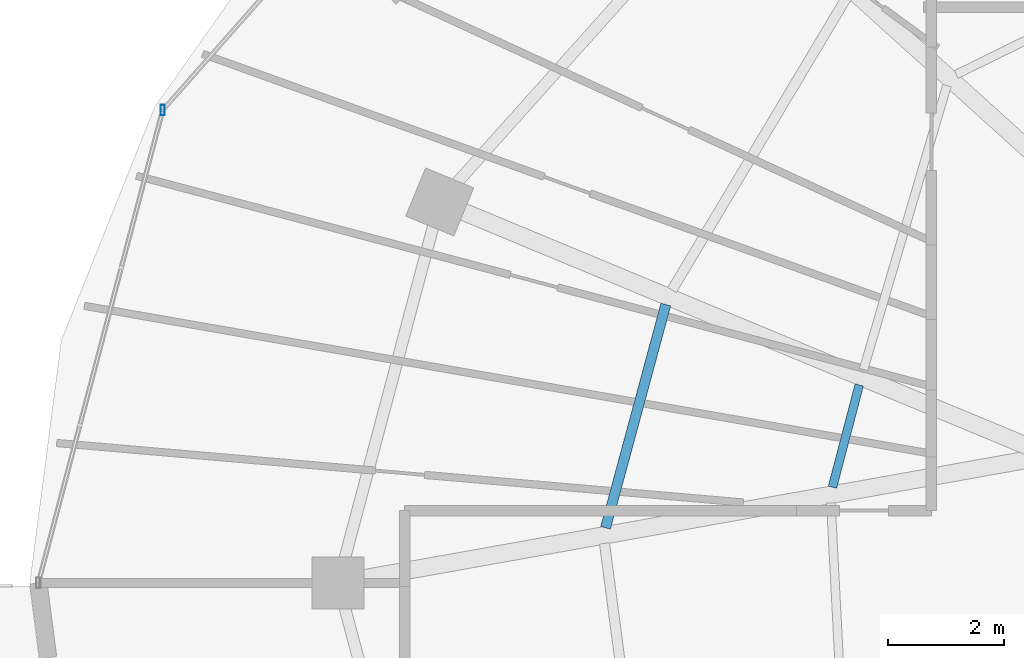
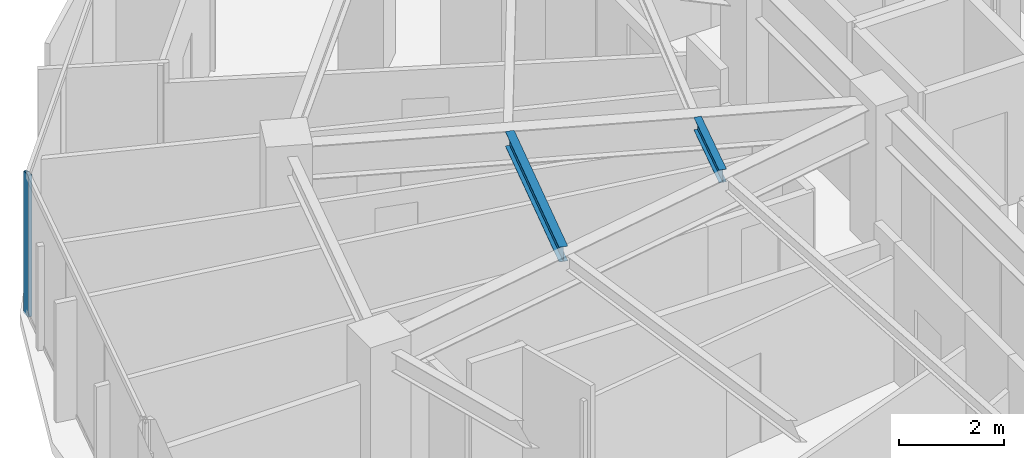
# One storey, part 9 of 34: 2 beams, 1 member, 1 element without a shape of its own.
"""IFC4 building model written with IfcOpenShell, lengths in metres."""

from ifc_helpers import new_model, si_unit, direction, frame, origin, origin_2d, place, context, subcontext, project, spatial, hollow_rectangle, i_section, extrude, material, material_profile, profile_set, type_object, element, aggregate, save


model = new_model("IFC4")

# Units and contexts
model_context = context("Model", 3, precision=1e-05, world=origin(), true_north=direction((0.0, 1.0)))
body_context = subcontext(model_context, "Body", "Model", "MODEL_VIEW")
ifc_project = project(units=[si_unit("LENGTHUNIT", "METRE"), si_unit("AREAUNIT", "SQUARE_METRE"), si_unit("VOLUMEUNIT", "CUBIC_METRE"), si_unit("PLANEANGLEUNIT", "RADIAN"), si_unit("MASSUNIT", "GRAM", prefix="KILO")], contexts=[model_context])

# Site, building, storey
site_placement = place(None, origin())
site = spatial("IfcSite", under=ifc_project, at=site_placement, CompositionType="ELEMENT")
building_placement = place(site_placement, origin())
building = spatial("IfcBuilding", under=site, at=building_placement, Name="Vorneva Point Tower", CompositionType="ELEMENT")
storey_placement = place(building_placement, frame((0.0, 0.0, 182.60009765625)))
storey = spatial("IfcBuildingStorey", under=building, at=storey_placement, Name="L49", CompositionType="ELEMENT", Elevation=182.60009765625)

# Beams
ifc_material_1 = material(Name="Steel S355", Category="steel")
ifc_material_profile_1 = material_profile(ifc_material_1, i_section(OverallWidth=0.14892578125, OverallDepth=0.298095703125, WebThickness=0.005615234375, FlangeThickness=0.008056640625, at=origin_2d()), Name="30B1")
ifc_profile_set_1 = profile_set([ifc_material_profile_1], Name="Steel S355")
beam_type_1 = type_object("IfcBeamType", Name="BM-JST-30B1", PredefinedType="JOIST", material=ifc_profile_set_1)
beam_1_placement = place(storey_placement, frame((23.952880859375, 29.422119140625, 3.0908203125), z_axis=(-0.25336832433, -0.967369883874, 0.0), x_axis=(0.967369883874, -0.25336832433, 0.0)))
element("IfcBeam", 1, at=beam_1_placement, inside=storey, type_object=beam_type_1, Name="L49 Secondary Floor Beam 2.08", PredefinedType="JOIST", context=body_context, shape_type="SweptSolid", body=[
    extrude(i_section(OverallWidth=0.14892578125, OverallDepth=0.298095703125, WebThickness=0.005615234375, FlangeThickness=0.008056640625, at=origin_2d()), origin(), (0.0, 0.0, 1.0), 1.826904296875),
])
ifc_material_profile_2 = material_profile(ifc_material_1, i_section(OverallWidth=0.174072265625, OverallDepth=0.345947265625, WebThickness=0.006103515625, FlangeThickness=0.009033203125, at=origin_2d()), Name="35B1")
ifc_profile_set_2 = profile_set([ifc_material_profile_2], Name="Steel S355")
beam_type_2 = type_object("IfcBeamType", Name="BM-SEC-35B1", PredefinedType="BEAM", material=ifc_profile_set_2)
beam_2_placement = place(storey_placement, frame((20.61083984375, 30.810791015625, 3.06689453125), z_axis=(-0.260635102056, -0.965437384596, 0.0), x_axis=(0.965437384596, -0.260635102056, 0.0)))
element("IfcBeam", 2, at=beam_2_placement, inside=storey, type_object=beam_type_2, Name="L49 Secondary Floor Beam 1.08", PredefinedType="BEAM", context=body_context, shape_type="SweptSolid", body=[
    extrude(i_section(OverallWidth=0.174072265625, OverallDepth=0.345947265625, WebThickness=0.006103515625, FlangeThickness=0.009033203125, at=origin_2d()), origin(), (0.0, 0.0, 1.0), 3.99609375),
])

# Curtain wall, member
ifc_material_2 = material(Name="Pale anodised aluminium", Category="aluminium")
curtain_wall_type = type_object("IfcCurtainWallType", Name="CW-RES-SYS", PredefinedType="NOTDEFINED", material=ifc_material_2)
curtain_wall_placement = place(storey_placement, origin())
curtain_wall = element("IfcCurtainWall", 3, at=curtain_wall_placement, inside=storey, type_object=curtain_wall_type, Name="L49 Unitised Curtain Wall CW-L49-R02", PredefinedType="NOTDEFINED")
ifc_material_profile_3 = material_profile(ifc_material_2, hollow_rectangle(XDim=0.074951171875, YDim=0.179931640625, WallThickness=0.00390625, at=origin_2d()), Name="AL-MUL 180x75x4")
ifc_profile_set_3 = profile_set([ifc_material_profile_3], Name="Pale anodised aluminium")
member_type = type_object("IfcMemberType", Name="CW-MUL-180", PredefinedType="MULLION", material=ifc_profile_set_3)
member_placement = place(storey_placement, frame((11.9189453125, 34.17041015625, -0.0400390625), z_axis=(0.0, 0.0, 1.0), x_axis=(1.0, 0.0, 0.0)))
member = element("IfcMember", 4, at=member_placement, type_object=member_type, Name="CW-L49-R02 Mullion 02", PredefinedType="MULLION", context=body_context, shape_type="SweptSolid", body=[
    extrude(hollow_rectangle(XDim=0.074951171875, YDim=0.179931640625, WallThickness=0.00390625, at=origin_2d()), origin(), (0.0, 0.0, 1.0), 3.31005859375),
])
aggregate(curtain_wall, [member])

save(model, "model.ifc")
